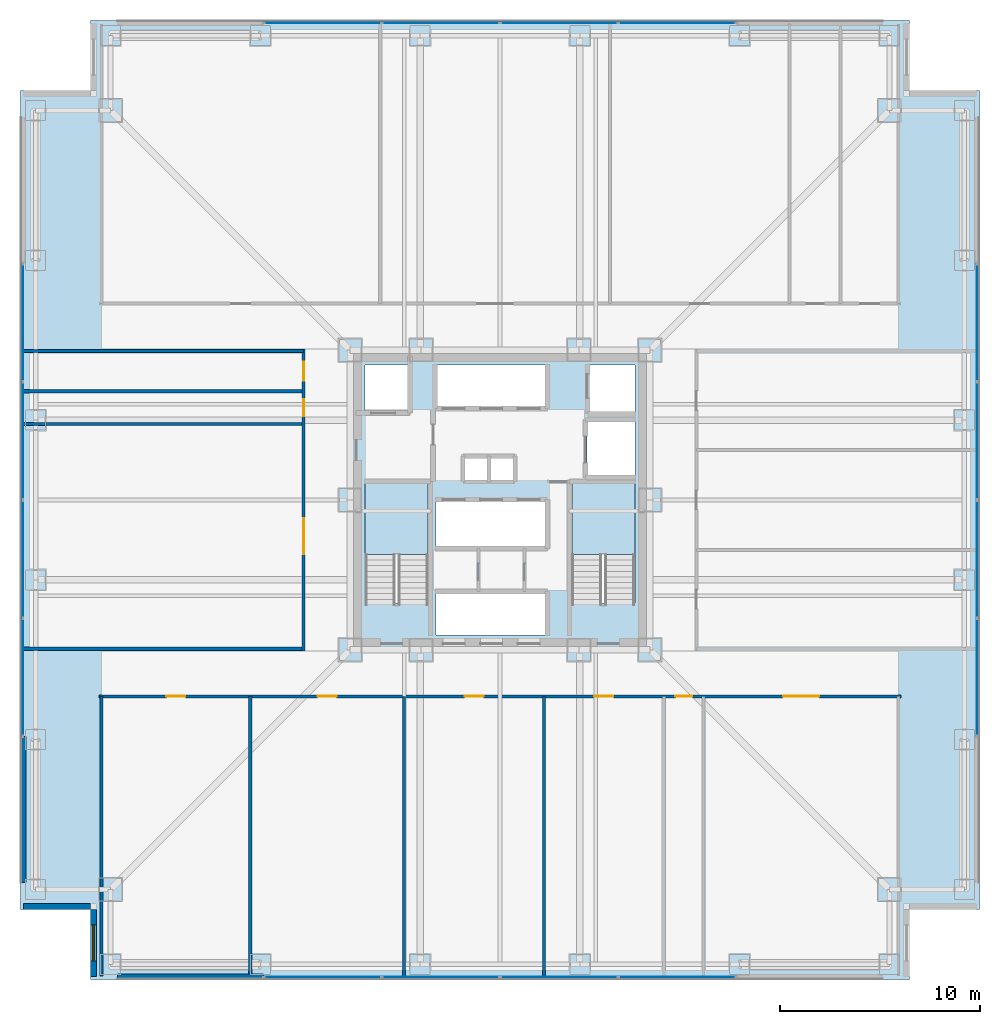
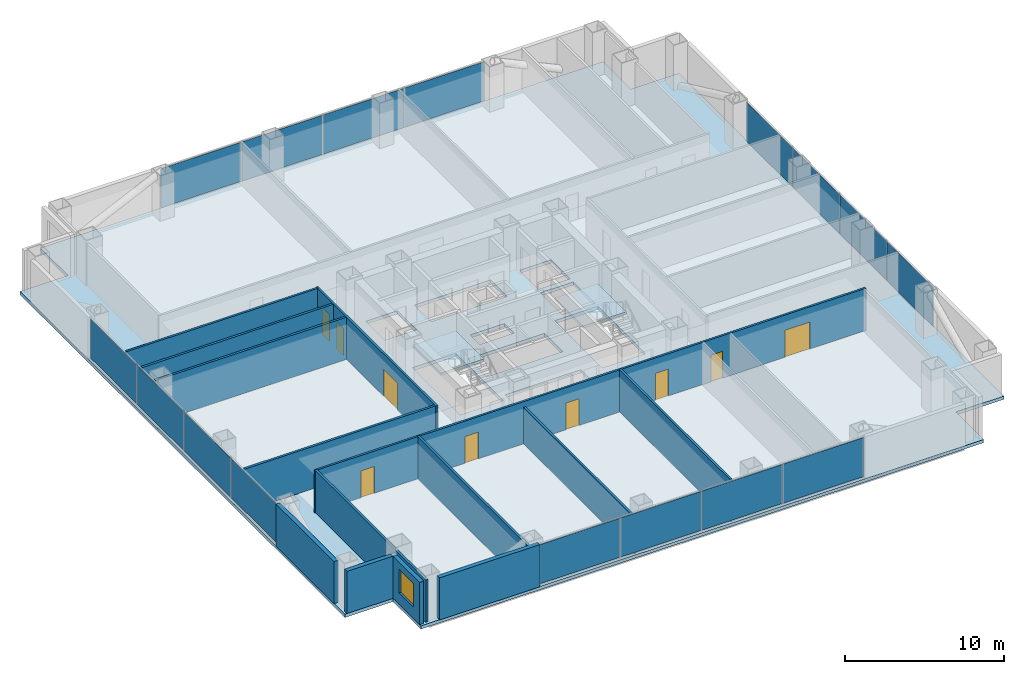
# One storey, part 10 of 15: 16 plates, 14 walls, 9 doors, 3 slabs, 1 window, 10 openings, 6 elements without a shape of their own.
"""IFC4 building model written with IfcOpenShell, lengths in metres."""

from ifc_helpers import new_model, si_unit, direction, frame, frame_2d, origin, origin_2d, place, context, subcontext, project, spatial, polyline, rectangle, outline, extrude, material, layer, layer_set, type_object, element, fill, aggregate, save


model = new_model("IFC4")

# Units and contexts
model_context = context("Model", 3, precision=1e-05, world=origin(), true_north=direction((0.0, 1.0)))
body_context = subcontext(model_context, "Body", "Model", "MODEL_VIEW")
ifc_project = project(units=[si_unit("LENGTHUNIT", "METRE"), si_unit("AREAUNIT", "SQUARE_METRE"), si_unit("VOLUMEUNIT", "CUBIC_METRE"), si_unit("PLANEANGLEUNIT", "RADIAN"), si_unit("MASSUNIT", "GRAM", prefix="KILO")], contexts=[model_context])

# Site, building, storey
site_placement = place(None, origin())
site = spatial("IfcSite", under=ifc_project, at=site_placement, CompositionType="ELEMENT")
building_placement = place(site_placement, origin())
building = spatial("IfcBuilding", under=site, at=building_placement, Name="Trevonay Congress Spire", CompositionType="ELEMENT")
storey_placement = place(building_placement, frame((0.0, 0.0, 44.5)))
storey = spatial("IfcBuildingStorey", under=building, at=storey_placement, Name="L10", CompositionType="ELEMENT", Elevation=44.5)

# Curtain wall, plates
ifc_material_1 = material(Name="Pale Anodised Aluminium EN AW-6063-T6", Category="aluminium")
ifc_layer_1 = layer(ifc_material_1, 0.179931640625, Name="Pale Anodised Aluminium EN AW-6063-T6")
ifc_layer_set_1 = layer_set([ifc_layer_1], Name="Pale Anodised Aluminium EN AW-6063-T6")
curtain_wall_type = type_object("IfcCurtainWallType", Name="CW-SYS02-HOTEL-PALE-METAL", PredefinedType="NOTDEFINED", material=ifc_layer_set_1)
curtain_wall_1_placement = place(storey_placement, origin())
curtain_wall_1 = element("IfcCurtainWall", 1, at=curtain_wall_1_placement, inside=storey, type_object=curtain_wall_type, Name="L10 S unitised curtain wall", PredefinedType="NOTDEFINED")
ifc_material_2 = material(Name="Insulated Low-E Vision Glass IGU", Category="glass")
ifc_layer_2 = layer(ifc_material_2, 0.035888671875, Name="Insulated Low-E Vision Glass IGU")
ifc_layer_set_2 = layer_set([ifc_layer_2], Name="Insulated Low-E Vision Glass IGU")
plate_type = type_object("IfcPlateType", Name="CW-PANEL-IGU36-SILVER", PredefinedType="CURTAIN_PANEL", material=ifc_layer_set_2)
plate_1_placement = place(storey_placement, frame((-8.87255859375, -23.8798828125, 0.1201171875), z_axis=(0.0, 0.0, 1.0), x_axis=(1.0, 0.0, 0.0)))
plate_1 = element("IfcPlate", 2, at=plate_1_placement, type_object=plate_type, Name="CW02 panel 1.1", PredefinedType="CURTAIN_PANEL", context=body_context, shape_type="SweptSolid", body=[
    extrude(rectangle(XDim=5.8349609375, YDim=0.035888671875, at=origin_2d()), origin(), (0.0, 0.0, 1.0), 3.010009765625),
])
plate_2_placement = place(storey_placement, frame((-2.96240234375, -23.8798828125, 0.1201171875), z_axis=(0.0, 0.0, 1.0), x_axis=(1.0, 0.0, 0.0)))
plate_2 = element("IfcPlate", 3, at=plate_2_placement, type_object=plate_type, Name="CW02 panel 2.1", PredefinedType="CURTAIN_PANEL", context=body_context, shape_type="SweptSolid", body=[
    extrude(rectangle(XDim=5.864990234375, YDim=0.035888671875, at=origin_2d()), origin(), (0.0, 0.0, 1.0), 3.010009765625),
])
plate_3_placement = place(storey_placement, frame((2.96240234375, -23.8798828125, 0.1201171875), z_axis=(0.0, 0.0, 1.0), x_axis=(1.0, 0.0, 0.0)))
plate_3 = element("IfcPlate", 4, at=plate_3_placement, type_object=plate_type, Name="CW02 panel 3.1", PredefinedType="CURTAIN_PANEL", context=body_context, shape_type="SweptSolid", body=[
    extrude(rectangle(XDim=5.864990234375, YDim=0.035888671875, at=origin_2d()), origin(), (0.0, 0.0, 1.0), 3.010009765625),
])
plate_4_placement = place(storey_placement, frame((8.87255859375, -23.8798828125, 0.1201171875), z_axis=(0.0, 0.0, 1.0), x_axis=(1.0, 0.0, 0.0)))
plate_4 = element("IfcPlate", 5, at=plate_4_placement, type_object=plate_type, Name="CW02 panel 4.1", PredefinedType="CURTAIN_PANEL", context=body_context, shape_type="SweptSolid", body=[
    extrude(rectangle(XDim=5.8349609375, YDim=0.035888671875, at=origin_2d()), origin(), (0.0, 0.0, 1.0), 3.010009765625),
])
aggregate(curtain_wall_1, [plate_1, plate_2, plate_3, plate_4])

curtain_wall_2_placement = place(storey_placement, origin())
curtain_wall_2 = element("IfcCurtainWall", 6, at=curtain_wall_2_placement, inside=storey, type_object=curtain_wall_type, Name="L10 N unitised curtain wall", PredefinedType="NOTDEFINED")
plate_5_placement = place(storey_placement, frame((-8.87255859375, 23.8798828125, 0.1201171875), z_axis=(0.0, 0.0, 1.0), x_axis=(1.0, 0.0, 0.0)))
plate_5 = element("IfcPlate", 7, at=plate_5_placement, type_object=plate_type, Name="CW02 panel 1.1", PredefinedType="CURTAIN_PANEL", context=body_context, shape_type="SweptSolid", body=[
    extrude(rectangle(XDim=5.8349609375, YDim=0.035888671875, at=origin_2d()), origin(), (0.0, 0.0, 1.0), 3.010009765625),
])
plate_6_placement = place(storey_placement, frame((-2.96240234375, 23.8798828125, 0.1201171875), z_axis=(0.0, 0.0, 1.0), x_axis=(1.0, 0.0, 0.0)))
plate_6 = element("IfcPlate", 8, at=plate_6_placement, type_object=plate_type, Name="CW02 panel 2.1", PredefinedType="CURTAIN_PANEL", context=body_context, shape_type="SweptSolid", body=[
    extrude(rectangle(XDim=5.864990234375, YDim=0.035888671875, at=origin_2d()), origin(), (0.0, 0.0, 1.0), 3.010009765625),
])
plate_7_placement = place(storey_placement, frame((2.96240234375, 23.8798828125, 0.1201171875), z_axis=(0.0, 0.0, 1.0), x_axis=(1.0, 0.0, 0.0)))
plate_7 = element("IfcPlate", 9, at=plate_7_placement, type_object=plate_type, Name="CW02 panel 3.1", PredefinedType="CURTAIN_PANEL", context=body_context, shape_type="SweptSolid", body=[
    extrude(rectangle(XDim=5.864990234375, YDim=0.035888671875, at=origin_2d()), origin(), (0.0, 0.0, 1.0), 3.010009765625),
])
plate_8_placement = place(storey_placement, frame((8.87255859375, 23.8798828125, 0.1201171875), z_axis=(0.0, 0.0, 1.0), x_axis=(1.0, 0.0, 0.0)))
plate_8 = element("IfcPlate", 10, at=plate_8_placement, type_object=plate_type, Name="CW02 panel 4.1", PredefinedType="CURTAIN_PANEL", context=body_context, shape_type="SweptSolid", body=[
    extrude(rectangle(XDim=5.8349609375, YDim=0.035888671875, at=origin_2d()), origin(), (0.0, 0.0, 1.0), 3.010009765625),
])
aggregate(curtain_wall_2, [plate_5, plate_6, plate_7, plate_8])

curtain_wall_3_placement = place(storey_placement, origin())
curtain_wall_3 = element("IfcCurtainWall", 11, at=curtain_wall_3_placement, inside=storey, type_object=curtain_wall_type, Name="L10 W unitised curtain wall", PredefinedType="NOTDEFINED")
plate_9_placement = place(storey_placement, frame((-23.8798828125, -8.87255859375, 0.1201171875), z_axis=(0.0, 0.0, 1.0), x_axis=(0.0, 1.0, 0.0)))
plate_9 = element("IfcPlate", 12, at=plate_9_placement, type_object=plate_type, Name="CW02 panel 1.1", PredefinedType="CURTAIN_PANEL", context=body_context, shape_type="SweptSolid", body=[
    extrude(rectangle(XDim=5.8349609375, YDim=0.035888671875, at=origin_2d()), origin(), (0.0, 0.0, 1.0), 3.010009765625),
])
plate_10_placement = place(storey_placement, frame((-23.8798828125, -2.96240234375, 0.1201171875), z_axis=(0.0, 0.0, 1.0), x_axis=(0.0, 1.0, 0.0)))
plate_10 = element("IfcPlate", 13, at=plate_10_placement, type_object=plate_type, Name="CW02 panel 2.1", PredefinedType="CURTAIN_PANEL", context=body_context, shape_type="SweptSolid", body=[
    extrude(rectangle(XDim=5.864990234375, YDim=0.035888671875, at=origin_2d()), origin(), (0.0, 0.0, 1.0), 3.010009765625),
])
plate_11_placement = place(storey_placement, frame((-23.8798828125, 2.96240234375, 0.1201171875), z_axis=(0.0, 0.0, 1.0), x_axis=(0.0, 1.0, 0.0)))
plate_11 = element("IfcPlate", 14, at=plate_11_placement, type_object=plate_type, Name="CW02 panel 3.1", PredefinedType="CURTAIN_PANEL", context=body_context, shape_type="SweptSolid", body=[
    extrude(rectangle(XDim=5.864990234375, YDim=0.035888671875, at=origin_2d()), origin(), (0.0, 0.0, 1.0), 3.010009765625),
])
plate_12_placement = place(storey_placement, frame((-23.8798828125, 8.87255859375, 0.1201171875), z_axis=(0.0, 0.0, 1.0), x_axis=(0.0, 1.0, 0.0)))
plate_12 = element("IfcPlate", 15, at=plate_12_placement, type_object=plate_type, Name="CW02 panel 4.1", PredefinedType="CURTAIN_PANEL", context=body_context, shape_type="SweptSolid", body=[
    extrude(rectangle(XDim=5.8349609375, YDim=0.035888671875, at=origin_2d()), origin(), (0.0, 0.0, 1.0), 3.010009765625),
])
aggregate(curtain_wall_3, [plate_9, plate_10, plate_11, plate_12])

curtain_wall_4_placement = place(storey_placement, origin())
curtain_wall_4 = element("IfcCurtainWall", 16, at=curtain_wall_4_placement, inside=storey, type_object=curtain_wall_type, Name="L10 E unitised curtain wall", PredefinedType="NOTDEFINED")
plate_13_placement = place(storey_placement, frame((23.8798828125, -8.87255859375, 0.1201171875), z_axis=(0.0, 0.0, 1.0), x_axis=(0.0, 1.0, 0.0)))
plate_13 = element("IfcPlate", 17, at=plate_13_placement, type_object=plate_type, Name="CW02 panel 1.1", PredefinedType="CURTAIN_PANEL", context=body_context, shape_type="SweptSolid", body=[
    extrude(rectangle(XDim=5.8349609375, YDim=0.035888671875, at=origin_2d()), origin(), (0.0, 0.0, 1.0), 3.010009765625),
])
plate_14_placement = place(storey_placement, frame((23.8798828125, -2.96240234375, 0.1201171875), z_axis=(0.0, 0.0, 1.0), x_axis=(0.0, 1.0, 0.0)))
plate_14 = element("IfcPlate", 18, at=plate_14_placement, type_object=plate_type, Name="CW02 panel 2.1", PredefinedType="CURTAIN_PANEL", context=body_context, shape_type="SweptSolid", body=[
    extrude(rectangle(XDim=5.864990234375, YDim=0.035888671875, at=origin_2d()), origin(), (0.0, 0.0, 1.0), 3.010009765625),
])
plate_15_placement = place(storey_placement, frame((23.8798828125, 2.96240234375, 0.1201171875), z_axis=(0.0, 0.0, 1.0), x_axis=(0.0, 1.0, 0.0)))
plate_15 = element("IfcPlate", 19, at=plate_15_placement, type_object=plate_type, Name="CW02 panel 3.1", PredefinedType="CURTAIN_PANEL", context=body_context, shape_type="SweptSolid", body=[
    extrude(rectangle(XDim=5.864990234375, YDim=0.035888671875, at=origin_2d()), origin(), (0.0, 0.0, 1.0), 3.010009765625),
])
plate_16_placement = place(storey_placement, frame((23.8798828125, 8.87255859375, 0.1201171875), z_axis=(0.0, 0.0, 1.0), x_axis=(0.0, 1.0, 0.0)))
plate_16 = element("IfcPlate", 20, at=plate_16_placement, type_object=plate_type, Name="CW02 panel 4.1", PredefinedType="CURTAIN_PANEL", context=body_context, shape_type="SweptSolid", body=[
    extrude(rectangle(XDim=5.8349609375, YDim=0.035888671875, at=origin_2d()), origin(), (0.0, 0.0, 1.0), 3.010009765625),
])
aggregate(curtain_wall_4, [plate_13, plate_14, plate_15, plate_16])

# Stair, slab
ifc_material_3 = material(Name="Concrete C40/50", Category="concrete")
stair_type_1 = type_object("IfcStairType", Name="STR-ST-1", PredefinedType="HALF_TURN_STAIR", material=ifc_material_3)
stair_1_placement = place(storey_placement, origin())
stair_1 = element("IfcStair", 21, at=stair_1_placement, inside=storey, type_object=stair_type_1, Name="L10 Protected Exit Stair ST-1", PredefinedType="HALF_TURN_STAIR")
ifc_layer_3 = layer(ifc_material_3, 0.199951171875, Name="Concrete C40/50")
ifc_layer_set_3 = layer_set([ifc_layer_3], Name="Concrete C40/50")
slab_type_1 = type_object("IfcSlabType", Name="SLB-STAIR-LAND-200", PredefinedType="LANDING", material=ifc_layer_set_3)
slab_1_placement = place(storey_placement, frame((0.0, 0.0, 1.550048828125)))
slab_1 = element("IfcSlab", 22, at=slab_1_placement, type_object=slab_type_1, Name="ST-1 landing 1", PredefinedType="LANDING", context=body_context, shape_type="SweptSolid", body=[
    extrude(outline(polyline([(-3.60009765625, -2.72998046875), (-3.60009765625, 0.85009765625), (-6.75, 0.85009765625), (-6.75, -2.72998046875), (-3.60009765625, -2.72998046875)])), origin(), (0.0, 0.0, 1.0), 0.199951171875),
])
aggregate(stair_1, [slab_1])

stair_type_2 = type_object("IfcStairType", Name="STR-ST-2", PredefinedType="HALF_TURN_STAIR", material=ifc_material_3)
stair_2_placement = place(storey_placement, origin())
stair_2 = element("IfcStair", 23, at=stair_2_placement, inside=storey, type_object=stair_type_2, Name="L10 Protected Exit Stair ST-2", PredefinedType="HALF_TURN_STAIR")
slab_2_placement = place(storey_placement, frame((0.0, 0.0, 1.550048828125)))
slab_2 = element("IfcSlab", 24, at=slab_2_placement, type_object=slab_type_1, Name="ST-2 landing 1", PredefinedType="LANDING", context=body_context, shape_type="SweptSolid", body=[
    extrude(outline(polyline([(6.75, -2.72998046875), (6.75, 0.85009765625), (3.60009765625, 0.85009765625), (3.60009765625, -2.72998046875), (6.75, -2.72998046875)])), origin(), (0.0, 0.0, 1.0), 0.199951171875),
])
aggregate(stair_2, [slab_2])

# Slab
ifc_layer_4 = layer(ifc_material_3, 0.25, Name="Concrete C40/50")
ifc_layer_set_4 = layer_set([ifc_layer_4], Name="Concrete C40/50")
slab_type_2 = type_object("IfcSlabType", Name="SLB-TOW1-250", PredefinedType="FLOOR", material=ifc_layer_set_4)
slab_3_placement = place(storey_placement, frame((0.0, 0.0, -0.25)))
element("IfcSlab", 25, at=slab_3_placement, inside=storey, type_object=slab_type_2, Name="L10 structural floor slab", PredefinedType="FLOOR", context=body_context, shape_type="SweptSolid", body=[
    extrude(outline(polyline([(-20.5, -24.0), (20.5, -24.0), (20.5, -20.5), (24.0, -20.5), (24.0, 20.5), (20.5, 20.5), (20.5, 24.0), (-20.5, 24.0), (-20.5, 20.5), (-24.0, 20.5), (-24.0, -20.5), (-20.5, -20.5), (-20.5, -24.0)]), holes=[polyline([(-3.60009765625, -5.14990234375), (-3.60009765625, 0.85009765625), (-6.75, 0.85009765625), (-6.75, -5.14990234375), (-3.60009765625, -5.14990234375)]), polyline([(6.75, -5.14990234375), (6.75, 0.85009765625), (3.60009765625, 0.85009765625), (3.60009765625, -5.14990234375), (6.75, -5.14990234375)]), polyline([(-3.199951171875, -6.75), (2.340087890625, -6.75), (2.340087890625, -4.64990234375), (-3.199951171875, -4.64990234375), (-3.199951171875, -6.75)]), polyline([(-3.199951171875, -2.35009765625), (2.340087890625, -2.35009765625), (2.340087890625, -0.050048828125), (-3.199951171875, -0.050048828125), (-3.199951171875, -2.35009765625)]), polyline([(-3.199951171875, 4.64990234375), (2.340087890625, 4.64990234375), (2.340087890625, 6.75), (-3.199951171875, 6.75), (-3.199951171875, 4.64990234375)]), polyline([(-6.75, 4.35009765625), (-4.449951171875, 4.35009765625), (-4.449951171875, 6.75), (-6.75, 6.75), (-6.75, 4.35009765625)]), polyline([(4.449951171875, 4.35009765625), (6.75, 4.35009765625), (6.75, 6.75), (4.449951171875, 6.75), (4.449951171875, 4.35009765625)]), polyline([(4.35009765625, 1.199951171875), (6.75, 1.199951171875), (6.75, 3.949951171875), (4.35009765625, 3.949951171875), (4.35009765625, 1.199951171875)]), polyline([(-1.800048828125, 0.949951171875), (0.699951171875, 0.949951171875), (0.699951171875, 2.14990234375), (-1.800048828125, 2.14990234375), (-1.800048828125, 0.949951171875)])]), origin(), (0.0, 0.0, 1.0), 0.25),
])

# Wall, openings, doors
ifc_layer_5 = layer(ifc_material_3, 0.14990234375, Name="Concrete C40/50")
ifc_layer_set_5 = layer_set([ifc_layer_5], Name="Concrete C40/50")
wall_type_1 = type_object("IfcWallType", Name="WAL-CORR-150", PredefinedType="PARTITIONING", material=ifc_layer_set_5)
wall_1_placement = place(storey_placement, frame((-20.070068359375, -9.830078125, 0.0), z_axis=(0.0, 0.0, 1.0), x_axis=(1.0, 0.0, 0.0)))
wall_1 = element("IfcWall", 26, at=wall_1_placement, inside=storey, type_object=wall_type_1, Name="L10 interior wall WP-L10S-COR", PredefinedType="PARTITIONING", context=body_context, shape_type="SweptSolid", body=[
    extrude(rectangle(XDim=40.14013671875, YDim=0.14990234375, at=frame_2d((20.070068359375, 0.0))), origin(), (0.0, 0.0, 1.0), 3.25),
])
opening_1_placement = place(wall_1_placement, frame((3.3701171875, 0.0, 0.0)))
opening_1 = element("IfcOpeningElement", 27, at=opening_1_placement, cuts=wall_1, Name="Opening D07", PredefinedType="OPENING", context=body_context, shape_type="SweptSolid", body=[
    extrude(rectangle(XDim=0.949951171875, YDim=2.06005859375, at=frame_2d((0.47509765625, 1.030029296875))), frame((0.0, 0.0849609375, 0.0), z_axis=(0.0, -1.0, 0.0), x_axis=(1.0, 0.0, 0.0)), (0.0, 0.0, 1.0), 0.169921875),
])
opening_2_placement = place(wall_1_placement, frame((10.945068359375, 0.0, 0.0)))
opening_2 = element("IfcOpeningElement", 28, at=opening_2_placement, cuts=wall_1, Name="Opening D07", PredefinedType="OPENING", context=body_context, shape_type="SweptSolid", body=[
    extrude(rectangle(XDim=0.949951171875, YDim=2.06005859375, at=frame_2d((0.47509765625, 1.030029296875))), frame((0.0, 0.0849609375, 0.0), z_axis=(0.0, -1.0, 0.0), x_axis=(1.0, 0.0, 0.0)), (0.0, 0.0, 1.0), 0.169921875),
])
opening_3_placement = place(wall_1_placement, frame((18.294921875, 0.0, 0.0)))
opening_3 = element("IfcOpeningElement", 29, at=opening_3_placement, cuts=wall_1, Name="Opening D07", PredefinedType="OPENING", context=body_context, shape_type="SweptSolid", body=[
    extrude(rectangle(XDim=0.949951171875, YDim=2.06005859375, at=frame_2d((0.47509765625, 1.030029296875))), frame((0.0, 0.0849609375, 0.0), z_axis=(0.0, -1.0, 0.0), x_axis=(1.0, 0.0, 0.0)), (0.0, 0.0, 1.0), 0.169921875),
])
opening_4_placement = place(wall_1_placement, frame((24.794921875, 0.0, 0.0)))
opening_4 = element("IfcOpeningElement", 30, at=opening_4_placement, cuts=wall_1, Name="Opening D07", PredefinedType="OPENING", context=body_context, shape_type="SweptSolid", body=[
    extrude(rectangle(XDim=0.949951171875, YDim=2.06005859375, at=frame_2d((0.47509765625, 1.030029296875))), frame((0.0, 0.0849609375, 0.0), z_axis=(0.0, -1.0, 0.0), x_axis=(1.0, 0.0, 0.0)), (0.0, 0.0, 1.0), 0.169921875),
])
opening_5_placement = place(wall_1_placement, frame((28.844970703125, 0.0, 0.0)))
opening_5 = element("IfcOpeningElement", 31, at=opening_5_placement, cuts=wall_1, Name="Opening D10", PredefinedType="OPENING", context=body_context, shape_type="SweptSolid", body=[
    extrude(rectangle(XDim=0.85009765625, YDim=2.050048828125, at=frame_2d((0.425048828125, 1.02490234375))), frame((0.0, 0.0849609375, 0.0), z_axis=(0.0, -1.0, 0.0), x_axis=(1.0, 0.0, 0.0)), (0.0, 0.0, 1.0), 0.169921875),
])
opening_6_placement = place(wall_1_placement, frame((34.2451171875, 0.0, 0.0)))
opening_6 = element("IfcOpeningElement", 32, at=opening_6_placement, cuts=wall_1, Name="Opening D09", PredefinedType="OPENING", context=body_context, shape_type="SweptSolid", body=[
    extrude(rectangle(XDim=1.800048828125, YDim=2.080078125, at=frame_2d((0.89990234375, 1.0400390625))), frame((0.0, 0.0849609375, 0.0), z_axis=(0.0, -1.0, 0.0), x_axis=(1.0, 0.0, 0.0)), (0.0, 0.0, 1.0), 0.169921875),
])
door_type_1 = type_object("IfcDoorType", Name="DOR-CONF-DBL", OperationType="DOUBLE_DOOR_SINGLE_SWING", PredefinedType="DOOR", material=ifc_material_1)
door_1_placement = place(opening_6_placement, origin())
door_1 = element("IfcDoor", 33, at=door_1_placement, inside=storey, type_object=door_type_1, Name="L10 Delegate Seminar Room D Door", OperationType="DOUBLE_DOOR_SINGLE_SWING", OverallHeight=2.080078125, OverallWidth=1.800048828125, PredefinedType="DOOR", context=body_context, shape_type="SweptSolid", body=[
    extrude(rectangle(XDim=1.800048828125, YDim=2.080078125, at=frame_2d((0.89990234375, 1.0400390625))), frame((0.0, 0.02490234375, 0.0), z_axis=(0.0, -1.0, 0.0), x_axis=(1.0, 0.0, 0.0)), (0.0, 0.0, 1.0), 0.050048828125),
])
fill(opening_6, door_1)
door_type_2 = type_object("IfcDoorType", Name="DOR-OFFICE-95", OperationType="NOTDEFINED", PredefinedType="DOOR", material=ifc_material_1)
door_2_placement = place(opening_1_placement, origin())
door_2 = element("IfcDoor", 34, at=door_2_placement, inside=storey, type_object=door_type_2, Name="L10 Delegate Breakout Room A Door", OperationType="SINGLE_SWING_RIGHT", OverallHeight=2.06005859375, OverallWidth=0.949951171875, PredefinedType="DOOR", context=body_context, shape_type="SweptSolid", body=[
    extrude(rectangle(XDim=0.949951171875, YDim=2.06005859375, at=frame_2d((0.47509765625, 1.030029296875))), frame((0.0, 0.02490234375, 0.0), z_axis=(0.0, -1.0, 0.0), x_axis=(1.0, 0.0, 0.0)), (0.0, 0.0, 1.0), 0.050048828125),
])
fill(opening_1, door_2)
door_3_placement = place(opening_2_placement, origin())
door_3 = element("IfcDoor", 35, at=door_3_placement, inside=storey, type_object=door_type_2, Name="L10 Delegate Breakout Room B Door", OperationType="SINGLE_SWING_LEFT", OverallHeight=2.06005859375, OverallWidth=0.949951171875, PredefinedType="DOOR", context=body_context, shape_type="SweptSolid", body=[
    extrude(rectangle(XDim=0.949951171875, YDim=2.06005859375, at=frame_2d((0.47509765625, 1.030029296875))), frame((0.0, 0.02490234375, 0.0), z_axis=(0.0, -1.0, 0.0), x_axis=(1.0, 0.0, 0.0)), (0.0, 0.0, 1.0), 0.050048828125),
])
fill(opening_2, door_3)
door_4_placement = place(opening_3_placement, origin())
door_4 = element("IfcDoor", 36, at=door_4_placement, inside=storey, type_object=door_type_2, Name="L10 Delegate Breakout Room C Door", OperationType="SINGLE_SWING_RIGHT", OverallHeight=2.06005859375, OverallWidth=0.949951171875, PredefinedType="DOOR", context=body_context, shape_type="SweptSolid", body=[
    extrude(rectangle(XDim=0.949951171875, YDim=2.06005859375, at=frame_2d((0.47509765625, 1.030029296875))), frame((0.0, 0.02490234375, 0.0), z_axis=(0.0, -1.0, 0.0), x_axis=(1.0, 0.0, 0.0)), (0.0, 0.0, 1.0), 0.050048828125),
])
fill(opening_3, door_4)
door_5_placement = place(opening_4_placement, origin())
door_5 = element("IfcDoor", 37, at=door_5_placement, inside=storey, type_object=door_type_2, Name="L10 Breakout Coffee Lounge Door", OperationType="SINGLE_SWING_LEFT", OverallHeight=2.06005859375, OverallWidth=0.949951171875, PredefinedType="DOOR", context=body_context, shape_type="SweptSolid", body=[
    extrude(rectangle(XDim=0.949951171875, YDim=2.06005859375, at=frame_2d((0.47509765625, 1.030029296875))), frame((0.0, 0.02490234375, 0.0), z_axis=(0.0, -1.0, 0.0), x_axis=(1.0, 0.0, 0.0)), (0.0, 0.0, 1.0), 0.050048828125),
])
fill(opening_4, door_5)
door_type_3 = type_object("IfcDoorType", Name="DOR-WC-85", OperationType="NOTDEFINED", PredefinedType="DOOR", material=ifc_material_1)
door_6_placement = place(opening_5_placement, origin())
door_6 = element("IfcDoor", 38, at=door_6_placement, inside=storey, type_object=door_type_3, Name="L10 Accessible WC Door", OperationType="SINGLE_SWING_RIGHT", OverallHeight=2.050048828125, OverallWidth=0.85009765625, PredefinedType="DOOR", context=body_context, shape_type="SweptSolid", body=[
    extrude(rectangle(XDim=0.85009765625, YDim=2.050048828125, at=frame_2d((0.425048828125, 1.02490234375))), frame((0.0, 0.02490234375, 0.0), z_axis=(0.0, -1.0, 0.0), x_axis=(1.0, 0.0, 0.0)), (0.0, 0.0, 1.0), 0.050048828125),
])
fill(opening_5, door_6)

wall_2_placement = place(storey_placement, frame((-9.830078125, -7.570068359375, 0.0), z_axis=(0.0, 0.0, 1.0), x_axis=(0.0, 1.0, 0.0)))
wall_2 = element("IfcWall", 39, at=wall_2_placement, inside=storey, type_object=wall_type_1, Name="L10 interior wall WP-L10W-COR", PredefinedType="PARTITIONING", context=body_context, shape_type="SweptSolid", body=[
    extrude(rectangle(XDim=15.14013671875, YDim=0.14990234375, at=frame_2d((7.570068359375, 0.0))), origin(), (0.0, 0.0, 1.0), 3.25),
])
opening_7_placement = place(wall_2_placement, frame((4.844970703125, 0.0, 0.0)))
opening_7 = element("IfcOpeningElement", 40, at=opening_7_placement, cuts=wall_2, Name="Opening D09", PredefinedType="OPENING", context=body_context, shape_type="SweptSolid", body=[
    extrude(rectangle(XDim=1.800048828125, YDim=2.080078125, at=frame_2d((0.89990234375, 1.0400390625))), frame((0.0, 0.0849609375, 0.0), z_axis=(0.0, -1.0, 0.0), x_axis=(1.0, 0.0, 0.0)), (0.0, 0.0, 1.0), 0.169921875),
])
opening_8_placement = place(wall_2_placement, frame((11.77001953125, 0.0, 0.0)))
opening_8 = element("IfcOpeningElement", 41, at=opening_8_placement, cuts=wall_2, Name="Opening D10", PredefinedType="OPENING", context=body_context, shape_type="SweptSolid", body=[
    extrude(rectangle(XDim=0.85009765625, YDim=2.050048828125, at=frame_2d((0.425048828125, 1.02490234375))), frame((0.0, 0.0849609375, 0.0), z_axis=(0.0, -1.0, 0.0), x_axis=(1.0, 0.0, 0.0)), (0.0, 0.0, 1.0), 0.169921875),
])
opening_9_placement = place(wall_2_placement, frame((13.544921875, 0.0, 0.0)))
opening_9 = element("IfcOpeningElement", 42, at=opening_9_placement, cuts=wall_2, Name="Opening D07", PredefinedType="OPENING", context=body_context, shape_type="SweptSolid", body=[
    extrude(rectangle(XDim=0.949951171875, YDim=2.06005859375, at=frame_2d((0.47509765625, 1.030029296875))), frame((0.0, 0.0849609375, 0.0), z_axis=(0.0, -1.0, 0.0), x_axis=(1.0, 0.0, 0.0)), (0.0, 0.0, 1.0), 0.169921875),
])
door_7_placement = place(opening_7_placement, origin())
door_7 = element("IfcDoor", 43, at=door_7_placement, inside=storey, type_object=door_type_1, Name="L10 Press Media Briefing Salon Door", OperationType="DOUBLE_DOOR_SINGLE_SWING", OverallHeight=2.080078125, OverallWidth=1.800048828125, PredefinedType="DOOR", context=body_context, shape_type="SweptSolid", body=[
    extrude(rectangle(XDim=1.800048828125, YDim=2.080078125, at=frame_2d((0.89990234375, 1.0400390625))), frame((0.0, 0.02490234375, 0.0), z_axis=(0.0, -1.0, 0.0), x_axis=(1.0, 0.0, 0.0)), (0.0, 0.0, 1.0), 0.050048828125),
])
fill(opening_7, door_7)
door_8_placement = place(opening_9_placement, origin())
door_8 = element("IfcDoor", 44, at=door_8_placement, inside=storey, type_object=door_type_2, Name="L10 Floor Supplies and Copy Room Door", OperationType="SINGLE_SWING_RIGHT", OverallHeight=2.06005859375, OverallWidth=0.949951171875, PredefinedType="DOOR", context=body_context, shape_type="SweptSolid", body=[
    extrude(rectangle(XDim=0.949951171875, YDim=2.06005859375, at=frame_2d((0.47509765625, 1.030029296875))), frame((0.0, 0.02490234375, 0.0), z_axis=(0.0, -1.0, 0.0), x_axis=(1.0, 0.0, 0.0)), (0.0, 0.0, 1.0), 0.050048828125),
])
fill(opening_9, door_8)
door_9_placement = place(opening_8_placement, origin())
door_9 = element("IfcDoor", 45, at=door_9_placement, inside=storey, type_object=door_type_3, Name="L10 Male Restroom WC Door", OperationType="SINGLE_SWING_LEFT", OverallHeight=2.050048828125, OverallWidth=0.85009765625, PredefinedType="DOOR", context=body_context, shape_type="SweptSolid", body=[
    extrude(rectangle(XDim=0.85009765625, YDim=2.050048828125, at=frame_2d((0.425048828125, 1.02490234375))), frame((0.0, 0.02490234375, 0.0), z_axis=(0.0, -1.0, 0.0), x_axis=(1.0, 0.0, 0.0)), (0.0, 0.0, 1.0), 0.050048828125),
])
fill(opening_8, door_9)

# Walls
ifc_material_4 = material(Name="Precast concrete C40/50", Category="concrete")
ifc_layer_6 = layer(ifc_material_4, 0.300048828125, Name="Precast concrete C40/50")
ifc_layer_set_6 = layer_set([ifc_layer_6], Name="Precast concrete C40/50")
wall_type_2 = type_object("IfcWallType", Name="WAL-EXT-PRECAST-300", PredefinedType="SOLIDWALL", material=ifc_layer_set_6)
for number, where, z_axis, x_axis, name in (
    (46, (-19.14990234375, -23.8798828125, 0.0), (0.0, 0.0, 1.0), (1.0, 0.0, 0.0), "L10 SL braced-bay exterior pier wall"),
    (47, (-23.8798828125, -19.14990234375, 0.0), (0.0, 0.0, 1.0), (0.0, 1.0, 0.0), "L10 WL braced-bay exterior pier wall"),
):
    element("IfcWall", number, at=place(storey_placement, frame(where, z_axis=z_axis, x_axis=x_axis)), inside=storey, type_object=wall_type_2, Name=name, PredefinedType="SOLIDWALL", context=body_context, shape_type="SweptSolid", body=[
        extrude(rectangle(XDim=7.2998046875, YDim=0.300048828125, at=frame_2d((3.64990234375, 0.0))), origin(), (0.0, 0.0, 1.0), 3.25),
    ])

# Wall, opening, window
wall_3_placement = place(storey_placement, frame((-20.35009765625, -23.85009765625, 0.0), z_axis=(0.0, 0.0, 1.0), x_axis=(0.0, 1.0, 0.0)))
wall_3 = element("IfcWall", 48, at=wall_3_placement, inside=storey, type_object=wall_type_2, Name="L10 SW re-entrant notch exterior wall 1", PredefinedType="SOLIDWALL", context=body_context, shape_type="SweptSolid", body=[
    extrude(rectangle(XDim=3.35009765625, YDim=0.300048828125, at=frame_2d((1.675048828125, 0.0))), origin(), (0.0, 0.0, 1.0), 3.25),
])
opening_10_placement = place(wall_3_placement, frame((0.77490234375, 0.0, 0.89990234375)))
opening_10 = element("IfcOpeningElement", 49, at=opening_10_placement, cuts=wall_3, Name="Opening WN01", PredefinedType="OPENING", context=body_context, shape_type="SweptSolid", body=[
    extrude(rectangle(XDim=1.800048828125, YDim=1.800048828125, at=frame_2d((0.89990234375, 0.89990234375))), frame((0.0, 0.16015625, 0.0), z_axis=(0.0, -1.0, 0.0), x_axis=(1.0, 0.0, 0.0)), (0.0, 0.0, 1.0), 0.320068359375),
])
window_type = type_object("IfcWindowType", Name="WIN-HOTEL-180X180", PartitioningType="SINGLE_PANEL", PredefinedType="WINDOW", material=ifc_material_2)
window_placement = place(opening_10_placement, origin())
window = element("IfcWindow", 50, at=window_placement, inside=storey, type_object=window_type, Name="L10 SW corner notch window", OverallHeight=1.800048828125, OverallWidth=1.800048828125, PartitioningType="SINGLE_PANEL", PredefinedType="WINDOW", context=body_context, shape_type="SweptSolid", body=[
    extrude(rectangle(XDim=1.800048828125, YDim=1.800048828125, at=frame_2d((0.89990234375, 0.89990234375))), frame((0.0, 0.030029296875, 0.0), z_axis=(0.0, -1.0, 0.0), x_axis=(1.0, 0.0, 0.0)), (0.0, 0.0, 1.0), 0.06005859375),
])
fill(opening_10, window)

# Walls
wall_4_placement = place(storey_placement, frame((-23.85009765625, -20.35009765625, 0.0), z_axis=(0.0, 0.0, 1.0), x_axis=(1.0, 0.0, 0.0)))
element("IfcWall", 51, at=wall_4_placement, inside=storey, type_object=wall_type_2, Name="L10 SW re-entrant notch exterior wall 2", PredefinedType="SOLIDWALL", context=body_context, shape_type="SweptSolid", body=[
    extrude(rectangle(XDim=3.35009765625, YDim=0.300048828125, at=frame_2d((1.675048828125, 0.0))), origin(), (0.0, 0.0, 1.0), 3.25),
])
ifc_layer_7 = layer(ifc_material_3, 0.14990234375, Name="Concrete C40/50")
ifc_layer_set_7 = layer_set([ifc_layer_7], Name="Concrete C40/50")
wall_type_3 = type_object("IfcWallType", Name="WAL-PART-150", PredefinedType="PARTITIONING", material=ifc_layer_set_7)
wall_5_placement = place(storey_placement, frame((-4.800048828125, -23.820068359375, 0.0), z_axis=(0.0, 0.0, 1.0), x_axis=(0.0, 1.0, 0.0)))
element("IfcWall", 52, at=wall_5_placement, inside=storey, type_object=wall_type_3, Name="L10 interior wall WP-L10S-DIV3", PredefinedType="PARTITIONING", context=body_context, shape_type="SweptSolid", body=[
    extrude(rectangle(XDim=13.989990234375, YDim=0.14990234375, at=frame_2d((6.9951171875, 0.0))), origin(), (0.0, 0.0, 1.0), 2.818115234375),
])
for number, where, z_axis, x_axis, name in (
    (53, (2.199951171875, -23.820068359375, 0.0), (0.0, 0.0, 1.0), (0.0, 1.0, 0.0), "L10 interior wall WP-L10S-DIV4"),
    (54, (-23.820068359375, 7.449951171875, 0.0), (0.0, 0.0, 1.0), (1.0, 0.0, 0.0), "L10 interior wall WP-L10W-DIV3"),
):
    element("IfcWall", number, at=place(storey_placement, frame(where, z_axis=z_axis, x_axis=x_axis)), inside=storey, type_object=wall_type_3, Name=name, PredefinedType="PARTITIONING", context=body_context, shape_type="SweptSolid", body=[
        extrude(rectangle(XDim=13.989990234375, YDim=0.14990234375, at=frame_2d((6.9951171875, 0.0))), origin(), (0.0, 0.0, 1.0), 3.25),
    ])
ifc_layer_8 = layer(ifc_material_3, 0.1650390625, Name="Concrete C40/50")
ifc_layer_set_8 = layer_set([ifc_layer_8], Name="Concrete C40/50")
wall_type_4 = type_object("IfcWallType", Name="WAL-WET-165", PredefinedType="PLUMBINGWALL", material=ifc_layer_set_8)
for number, where, z_axis, x_axis, name in (
    (55, (-19.949951171875, -23.820068359375, 0.0), (0.0, 0.0, 1.0), (0.0, 1.0, 0.0), "L10 interior wall WP-L10S-DIV1"),
    (56, (-12.5, -23.820068359375, 0.0), (0.0, 0.0, 1.0), (0.0, 1.0, 0.0), "L10 interior wall WP-L10S-DIV2"),
    (57, (-23.820068359375, 5.449951171875, 0.0), (0.0, 0.0, 1.0), (1.0, 0.0, 0.0), "L10 interior wall WP-L10W-WCS2"),
    (58, (-23.820068359375, -7.449951171875, 0.0), (0.0, 0.0, 1.0), (1.0, 0.0, 0.0), "L10 interior wall WP-L10W-DIV1"),
    (59, (-23.820068359375, 3.800048828125, 0.0), (0.0, 0.0, 1.0), (1.0, 0.0, 0.0), "L10 interior wall WP-L10W-DIV2"),
):
    element("IfcWall", number, at=place(storey_placement, frame(where, z_axis=z_axis, x_axis=x_axis)), inside=storey, type_object=wall_type_4, Name=name, PredefinedType="PLUMBINGWALL", context=body_context, shape_type="SweptSolid", body=[
        extrude(rectangle(XDim=13.989990234375, YDim=0.1650390625, at=frame_2d((6.9951171875, 0.0))), origin(), (0.0, 0.0, 1.0), 3.25),
    ])

save(model, "model.ifc")
